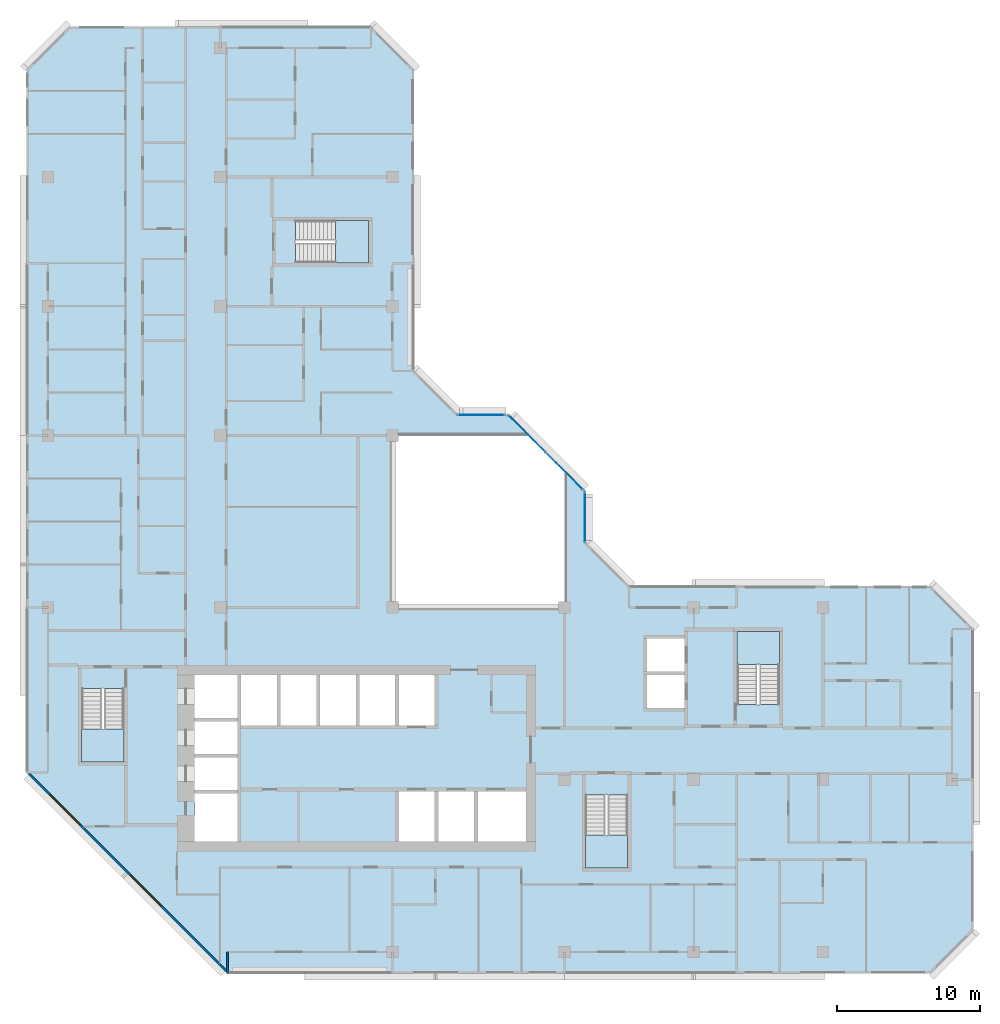
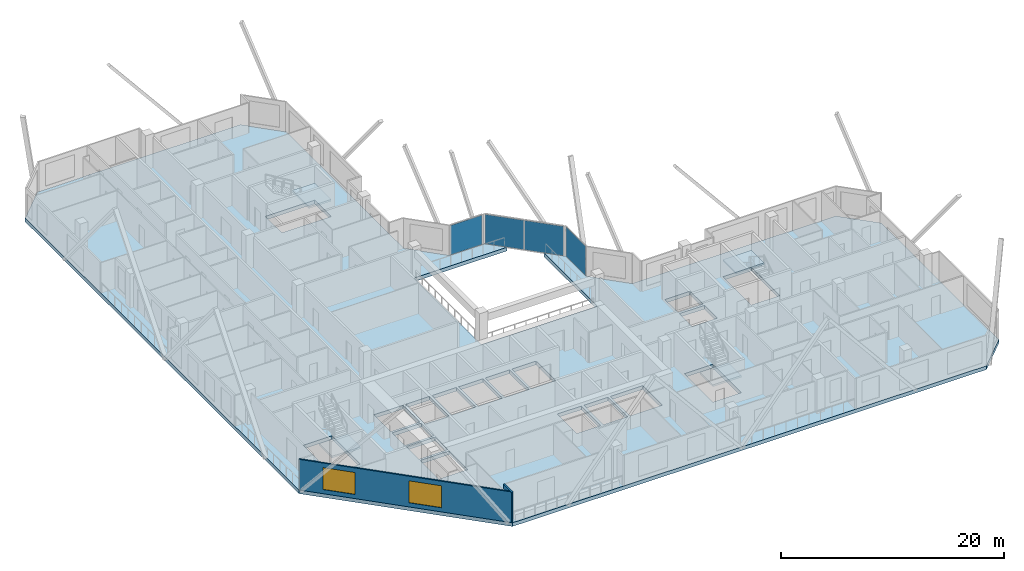
# One storey, part 3 of 15: 5 slabs, 4 plates, 2 walls, 2 windows, 2 openings, 7 elements without a shape of their own.
"""IFC4 building model written with IfcOpenShell, lengths in metres."""

from ifc_helpers import new_model, si_unit, direction, frame, frame_2d, origin, origin_2d, place, context, subcontext, project, spatial, polyline, rectangle, outline, extrude, material, layer, layer_set, type_object, element, fill, aggregate, save


model = new_model("IFC4")

# Units and contexts
model_context = context("Model", 3, precision=1e-05, world=origin(), true_north=direction((0.0, 1.0)))
body_context = subcontext(model_context, "Body", "Model", "MODEL_VIEW")
ifc_project = project(units=[si_unit("LENGTHUNIT", "METRE"), si_unit("AREAUNIT", "SQUARE_METRE"), si_unit("VOLUMEUNIT", "CUBIC_METRE"), si_unit("PLANEANGLEUNIT", "RADIAN"), si_unit("MASSUNIT", "GRAM", prefix="KILO")], contexts=[model_context])

# Site, building, storey
site_placement = place(None, origin())
site = spatial("IfcSite", under=ifc_project, at=site_placement, CompositionType="ELEMENT")
building_placement = place(site_placement, origin())
building = spatial("IfcBuilding", under=site, at=building_placement, Name="Chenar Terraces", CompositionType="ELEMENT")
storey_placement = place(building_placement, frame((0.0, 0.0, 245.39990234375)))
storey = spatial("IfcBuildingStorey", under=building, at=storey_placement, Name="L58", CompositionType="ELEMENT", Elevation=245.39990234375)

# Curtain wall, plate
ifc_material_1 = material(Name="Aluminium framed glazing", Category="aluminium")
ifc_layer_1 = layer(ifc_material_1, 0.14990234375)
ifc_layer_set_1 = layer_set([ifc_layer_1], Name="Aluminium framed glazing")
curtain_wall_type = type_object("IfcCurtainWallType", Name="Atrium mid-zone curtain wall", PredefinedType="NOTDEFINED", material=ifc_layer_set_1)
placement_1 = place(storey_placement, origin())
curtain_wall_1 = element("IfcCurtainWall", 1, at=placement_1, inside=storey, type_object=curtain_wall_type, Name="Atrium mid-zone curtain wall", PredefinedType="NOTDEFINED")
ifc_material_2 = material(Name="Low emissivity laminated glass, solar control coating", Category="glass")
ifc_layer_2 = layer(ifc_material_2, 0.031982421875)
ifc_layer_set_2 = layer_set([ifc_layer_2], Name="Low emissivity laminated glass, solar control coating")
plate_type = type_object("IfcPlateType", Name="Atrium mid-zone glazing panel 32", PredefinedType="CURTAIN_PANEL", material=ifc_layer_set_2)
plate_1_placement = place(storey_placement, frame((37.425048828125, 30.300048828125, 0.070068359375), z_axis=(0.0, 0.0, 1.0), x_axis=(0.0, 1.0, 0.0)))
plate_1 = element("IfcPlate", 2, at=plate_1_placement, type_object=plate_type, Name="CW7-1 panel 1.1", PredefinedType="CURTAIN_PANEL", context=body_context, shape_type="SweptSolid", body=[
    extrude(rectangle(XDim=3.4599609375, YDim=0.031982421875, at=origin_2d()), origin(), (0.0, 0.0, 1.0), 3.2099609375),
])
aggregate(curtain_wall_1, [plate_1])

# Curtain wall, plates
curtain_wall_2 = element("IfcCurtainWall", 3, at=placement_1, inside=storey, type_object=curtain_wall_type, Name="Atrium mid-zone curtain wall", PredefinedType="NOTDEFINED")
plate_2_placement = place(storey_placement, frame((35.978515625, 33.515380859375, 0.070068359375), z_axis=(0.0, 0.0, 1.0), x_axis=(-0.707106781187, 0.707106781187, 0.0)))
plate_2 = element("IfcPlate", 4, at=plate_2_placement, type_object=plate_type, Name="CW7-2 panel 1.1", PredefinedType="CURTAIN_PANEL", context=body_context, shape_type="SweptSolid", body=[
    extrude(rectangle(XDim=3.61328125, YDim=0.031982421875, at=origin_2d()), origin(), (0.0, 0.0, 1.0), 3.2099609375),
])
plate_3_placement = place(storey_placement, frame((33.3740234375, 36.119873046875, 0.070068359375), z_axis=(0.0, 0.0, 1.0), x_axis=(-0.707106781187, 0.707106781187, 0.0)))
plate_3 = element("IfcPlate", 5, at=plate_3_placement, type_object=plate_type, Name="CW7-2 panel 2.1", PredefinedType="CURTAIN_PANEL", context=body_context, shape_type="SweptSolid", body=[
    extrude(rectangle(XDim=3.61328125, YDim=0.031982421875, at=origin_2d()), origin(), (0.0, 0.0, 1.0), 3.2099609375),
])
aggregate(curtain_wall_2, [plate_2, plate_3])

# Curtain wall, plate
curtain_wall_3 = element("IfcCurtainWall", 6, at=placement_1, inside=storey, type_object=curtain_wall_type, Name="Atrium mid-zone curtain wall", PredefinedType="NOTDEFINED")
plate_4_placement = place(storey_placement, frame((30.199951171875, 37.425048828125, 0.070068359375), z_axis=(0.0, 0.0, 1.0), x_axis=(-1.0, 0.0, 0.0)))
plate_4 = element("IfcPlate", 7, at=plate_4_placement, type_object=plate_type, Name="CW7-3 panel 1.1", PredefinedType="CURTAIN_PANEL", context=body_context, shape_type="SweptSolid", body=[
    extrude(rectangle(XDim=3.260009765625, YDim=0.031982421875, at=origin_2d()), origin(), (0.0, 0.0, 1.0), 3.2099609375),
])
aggregate(curtain_wall_3, [plate_4])

# Stair, slab
ifc_material_3 = material(Name="Reinforced concrete C40/50", Category="concrete")
stair_type = type_object("IfcStairType", Name="Core stair 1400 half-turn", PredefinedType="HALF_TURN_STAIR", material=ifc_material_3)
stair_1 = element("IfcStair", 8, at=placement_1, inside=storey, type_object=stair_type, Name="L58 Stair 1", PredefinedType="HALF_TURN_STAIR")
ifc_material_4 = material(Name="Reinforced concrete C40/50", Category="concrete")
ifc_layer_3 = layer(ifc_material_4, 0.199951171875)
ifc_layer_set_3 = layer_set([ifc_layer_3], Name="Reinforced concrete C40/50")
slab_type_1 = type_object("IfcSlabType", Name="Core stair landing 200", PredefinedType="LANDING", material=ifc_layer_set_3)
placement_2 = place(storey_placement, frame((0.0, 0.0, 1.675048828125)))
slab_1 = element("IfcSlab", 9, at=placement_2, type_object=slab_type_1, Name="ST1 landing 1", PredefinedType="LANDING", context=body_context, shape_type="SweptSolid", body=[
    extrude(outline(polyline([(2.35009765625, 15.550048828125), (2.35009765625, 13.25), (5.300048828125, 13.25), (5.300048828125, 15.550048828125), (2.35009765625, 15.550048828125)])), origin(), (0.0, 0.0, 1.0), 0.199951171875),
])
aggregate(stair_1, [slab_1])

stair_2 = element("IfcStair", 10, at=placement_1, inside=storey, type_object=stair_type, Name="L58 Stair 2", PredefinedType="HALF_TURN_STAIR")
slab_2 = element("IfcSlab", 11, at=placement_2, type_object=slab_type_1, Name="ST2 landing 1", PredefinedType="LANDING", context=body_context, shape_type="SweptSolid", body=[
    extrude(outline(polyline([(37.449951171875, 8.14990234375), (37.449951171875, 5.85009765625), (40.39990234375, 5.85009765625), (40.39990234375, 8.14990234375), (37.449951171875, 8.14990234375)])), origin(), (0.0, 0.0, 1.0), 0.199951171875),
])
aggregate(stair_2, [slab_2])

stair_3 = element("IfcStair", 12, at=placement_1, inside=storey, type_object=stair_type, Name="L58 Stair 3", PredefinedType="HALF_TURN_STAIR")
slab_3 = element("IfcSlab", 13, at=placement_2, type_object=slab_type_1, Name="ST3 landing 1", PredefinedType="LANDING", context=body_context, shape_type="SweptSolid", body=[
    extrude(outline(polyline([(50.97509765625, 20.050048828125), (50.97509765625, 22.35009765625), (48.02490234375, 22.35009765625), (48.02490234375, 20.050048828125), (50.97509765625, 20.050048828125)])), origin(), (0.0, 0.0, 1.0), 0.199951171875),
])
aggregate(stair_3, [slab_3])

stair_4 = element("IfcStair", 14, at=placement_1, inside=storey, type_object=stair_type, Name="L58 Stair 4", PredefinedType="HALF_TURN_STAIR")
slab_4 = element("IfcSlab", 15, at=placement_2, type_object=slab_type_1, Name="ST4 landing 1", PredefinedType="LANDING", context=body_context, shape_type="SweptSolid", body=[
    extrude(outline(polyline([(20.050048828125, 48.02490234375), (22.35009765625, 48.02490234375), (22.35009765625, 50.97509765625), (20.050048828125, 50.97509765625), (20.050048828125, 48.02490234375)])), origin(), (0.0, 0.0, 1.0), 0.199951171875),
])
aggregate(stair_4, [slab_4])

# Slab
ifc_material_5 = material(Name="Concrete C40/50", Category="concrete")
ifc_layer_4 = layer(ifc_material_5, 0.39990234375)
ifc_layer_set_4 = layer_set([ifc_layer_4], Name="Concrete C40/50")
slab_type_2 = type_object("IfcSlabType", Name="Floor slab 400 Concrete C40/50", PredefinedType="FLOOR", material=ifc_layer_set_4)
slab_5_placement = place(storey_placement, frame((0.0, 0.0, -0.39990234375)))
element("IfcSlab", 16, at=slab_5_placement, inside=storey, type_object=slab_type_2, Name="Floor slab L58", PredefinedType="FLOOR", context=body_context, shape_type="SweptSolid", body=[
    extrude(outline(polyline([(64.5, 22.5), (64.5, 1.5), (61.5, -1.5), (12.5, -1.5), (-1.5, 12.5), (-1.5, 61.5), (1.5, 64.5), (22.5, 64.5), (25.5, 61.5), (25.5, 40.5), (28.5, 37.5), (32.10009765625, 37.5), (33.60009765625, 36.0), (24.0, 36.0), (24.0, 24.0), (36.0, 24.0), (36.0, 33.60009765625), (37.5, 32.10009765625), (37.5, 28.5), (40.5, 25.5), (61.5, 25.5), (64.5, 22.5)]), holes=[polyline([(13.199951171875, 11.050048828125), (10.199951171875, 11.050048828125), (10.199951171875, 7.699951171875), (13.199951171875, 7.699951171875), (13.199951171875, 11.050048828125)]), polyline([(13.199951171875, 13.550048828125), (10.199951171875, 13.550048828125), (10.199951171875, 11.300048828125), (13.199951171875, 11.300048828125), (13.199951171875, 13.550048828125)]), polyline([(13.199951171875, 16.050048828125), (10.199951171875, 16.050048828125), (10.199951171875, 13.800048828125), (13.199951171875, 13.800048828125), (13.199951171875, 16.050048828125)]), polyline([(2.35009765625, 13.25), (5.300048828125, 13.25), (5.300048828125, 18.35009765625), (2.35009765625, 18.35009765625), (2.35009765625, 13.25)]), polyline([(15.949951171875, 19.300048828125), (13.449951171875, 19.300048828125), (13.449951171875, 15.800048828125), (15.949951171875, 15.800048828125), (15.949951171875, 19.300048828125)]), polyline([(18.699951171875, 19.300048828125), (16.199951171875, 19.300048828125), (16.199951171875, 15.800048828125), (18.699951171875, 15.800048828125), (18.699951171875, 19.300048828125)]), polyline([(21.449951171875, 19.300048828125), (18.949951171875, 19.300048828125), (18.949951171875, 15.800048828125), (21.449951171875, 15.800048828125), (21.449951171875, 19.300048828125)]), polyline([(24.199951171875, 15.800048828125), (24.199951171875, 19.300048828125), (21.699951171875, 19.300048828125), (21.699951171875, 15.800048828125), (24.199951171875, 15.800048828125)]), polyline([(13.199951171875, 16.300048828125), (13.199951171875, 19.300048828125), (10.199951171875, 19.300048828125), (10.199951171875, 16.300048828125), (13.199951171875, 16.300048828125)]), polyline([(22.35009765625, 48.02490234375), (22.35009765625, 50.97509765625), (17.25, 50.97509765625), (17.25, 48.02490234375), (22.35009765625, 48.02490234375)]), polyline([(37.449951171875, 5.85009765625), (40.39990234375, 5.85009765625), (40.39990234375, 10.949951171875), (37.449951171875, 10.949951171875), (37.449951171875, 5.85009765625)]), polyline([(26.949951171875, 11.199951171875), (24.449951171875, 11.199951171875), (24.449951171875, 7.699951171875), (26.949951171875, 7.699951171875), (26.949951171875, 11.199951171875)]), polyline([(29.699951171875, 7.699951171875), (29.699951171875, 11.199951171875), (27.199951171875, 11.199951171875), (27.199951171875, 7.699951171875), (29.699951171875, 7.699951171875)]), polyline([(33.300048828125, 7.699951171875), (33.300048828125, 11.199951171875), (29.949951171875, 11.199951171875), (29.949951171875, 7.699951171875), (33.300048828125, 7.699951171875)]), polyline([(26.949951171875, 19.300048828125), (24.449951171875, 19.300048828125), (24.449951171875, 15.800048828125), (26.949951171875, 15.800048828125), (26.949951171875, 19.300048828125)]), polyline([(44.35009765625, 19.300048828125), (41.75, 19.300048828125), (41.75, 17.0), (44.35009765625, 17.0), (44.35009765625, 19.300048828125)]), polyline([(50.97509765625, 22.35009765625), (48.02490234375, 22.35009765625), (48.02490234375, 17.25), (50.97509765625, 17.25), (50.97509765625, 22.35009765625)]), polyline([(44.35009765625, 19.550048828125), (44.35009765625, 21.85009765625), (41.75, 21.85009765625), (41.75, 19.550048828125), (44.35009765625, 19.550048828125)])]), origin(), (0.0, 0.0, 1.0), 0.39990234375),
])

# Wall
ifc_material_6 = material(Name="Terracotta cladding on insulated backing", Category="masonry")
ifc_layer_5 = layer(ifc_material_6, 0.14990234375)
ifc_layer_set_5 = layer_set([ifc_layer_5], Name="Terracotta cladding on insulated backing")
wall_type_1 = type_object("IfcWallType", Name="Loggia return wall 150", PredefinedType="SOLIDWALL", material=ifc_layer_set_5)
wall_1_placement = place(storey_placement, frame((12.5, -1.5, 0.0), z_axis=(0.0, 0.0, 1.0), x_axis=(0.0, 1.0, 0.0)))
element("IfcWall", 17, at=wall_1_placement, inside=storey, type_object=wall_type_1, Name="Loggia return wall", PredefinedType="SOLIDWALL", context=body_context, shape_type="SweptSolid", body=[
    extrude(rectangle(XDim=1.5, YDim=0.14990234375, at=frame_2d((0.75, 0.0))), origin(), (0.0, 0.0, 1.0), 3.35009765625),
])

# Wall, openings, windows
ifc_material_7 = material(Name="Terracotta cladding on insulated backing", Category="masonry")
ifc_layer_6 = layer(ifc_material_7, 0.14990234375)
ifc_layer_set_6 = layer_set([ifc_layer_6], Name="Terracotta cladding on insulated backing")
wall_type_2 = type_object("IfcWallType", Name="Terracotta rainscreen wall 150", PredefinedType="SOLIDWALL", material=ifc_layer_set_6)
wall_2_placement = place(storey_placement, frame((-1.447021484375, 12.552978515625, 0.0), z_axis=(0.0, 0.0, 1.0), x_axis=(0.707106781187, -0.707106781187, 0.0)))
wall_2 = element("IfcWall", 18, at=wall_2_placement, inside=storey, type_object=wall_type_2, Name="Terracotta rainscreen wall", PredefinedType="SOLIDWALL", context=body_context, shape_type="SweptSolid", body=[
    extrude(rectangle(XDim=19.799072265625, YDim=0.14990234375, at=frame_2d((9.8994140625, 0.0))), origin(), (0.0, 0.0, 1.0), 3.35009765625),
])
opening_1_placement = place(wall_2_placement, frame((2.21240234375, 0.0, 0.449951171875)))
opening_1 = element("IfcOpeningElement", 19, at=opening_1_placement, cuts=wall_2, Name="Opening W300x240", PredefinedType="OPENING", context=body_context, shape_type="SweptSolid", body=[
    extrude(rectangle(XDim=3.0, YDim=2.39990234375, at=frame_2d((1.5, 1.199951171875))), frame((0.0, 0.0849609375, 0.0), z_axis=(0.0, -1.0, 0.0), x_axis=(1.0, 0.0, 0.0)), (0.0, 0.0, 1.0), 0.169921875),
])
opening_2_placement = place(wall_2_placement, frame((10.215576171875, 0.0, 0.449951171875)))
opening_2 = element("IfcOpeningElement", 20, at=opening_2_placement, cuts=wall_2, Name="Opening W300x240", PredefinedType="OPENING", context=body_context, shape_type="SweptSolid", body=[
    extrude(rectangle(XDim=3.0, YDim=2.39990234375, at=frame_2d((1.5, 1.199951171875))), frame((0.0, 0.0849609375, 0.0), z_axis=(0.0, -1.0, 0.0), x_axis=(1.0, 0.0, 0.0)), (0.0, 0.0, 1.0), 0.169921875),
])
ifc_material_8 = material(Name="Low emissivity double glazing, aluminium frame", Category="aluminium")
window_type = type_object("IfcWindowType", Name="Fixed light 3000 x 2400", PartitioningType="SINGLE_PANEL", PredefinedType="WINDOW", material=ifc_material_8)
window_1_placement = place(opening_1_placement, origin())
window_1 = element("IfcWindow", 21, at=window_1_placement, inside=storey, type_object=window_type, Name="Window", OverallHeight=2.39990234375, OverallWidth=3.0, PartitioningType="SINGLE_PANEL", PredefinedType="WINDOW", context=body_context, shape_type="SweptSolid", body=[
    extrude(rectangle(XDim=3.0, YDim=2.39990234375, at=frame_2d((1.5, 1.199951171875))), frame((0.0, 0.030029296875, 0.0), z_axis=(0.0, -1.0, 0.0), x_axis=(1.0, 0.0, 0.0)), (0.0, 0.0, 1.0), 0.06005859375),
])
fill(opening_1, window_1)
window_2_placement = place(opening_2_placement, origin())
window_2 = element("IfcWindow", 22, at=window_2_placement, inside=storey, type_object=window_type, Name="Window", OverallHeight=2.39990234375, OverallWidth=3.0, PartitioningType="SINGLE_PANEL", PredefinedType="WINDOW", context=body_context, shape_type="SweptSolid", body=[
    extrude(rectangle(XDim=3.0, YDim=2.39990234375, at=frame_2d((1.5, 1.199951171875))), frame((0.0, 0.030029296875, 0.0), z_axis=(0.0, -1.0, 0.0), x_axis=(1.0, 0.0, 0.0)), (0.0, 0.0, 1.0), 0.06005859375),
])
fill(opening_2, window_2)

save(model, "model.ifc")
